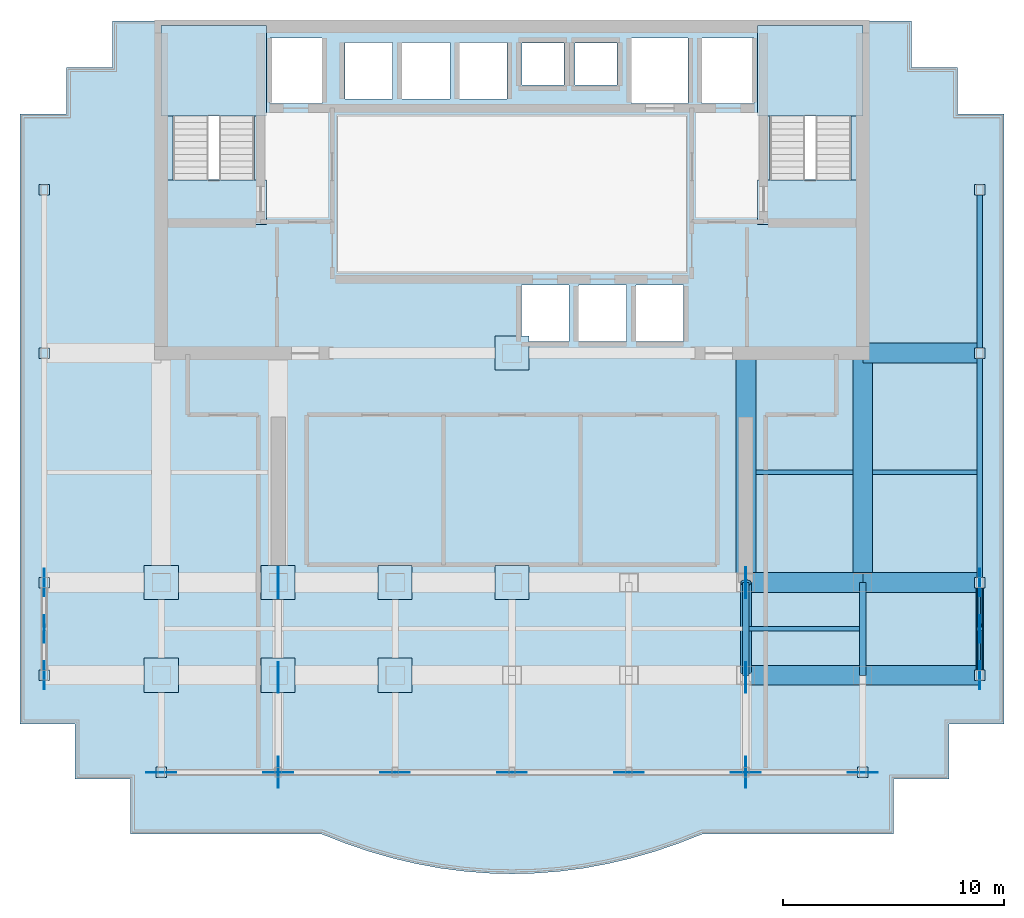
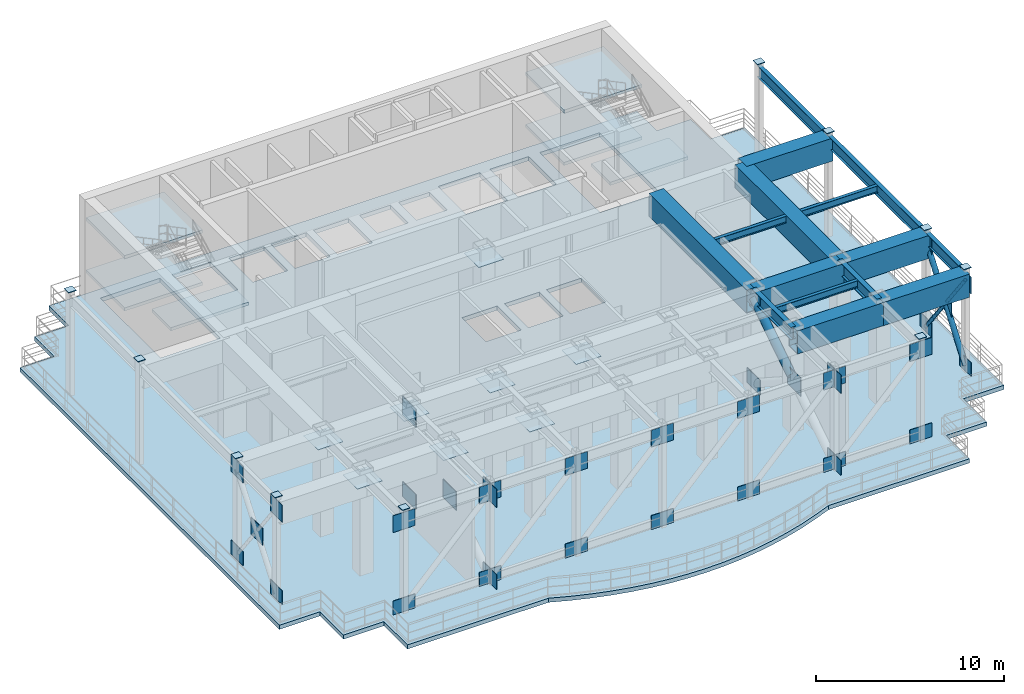
# One storey, part 2 of 7: 52 plates, 15 beams, 7 slabs, 4 members, 2 elements without a shape of their own.
"""IFC4 building model written with IfcOpenShell, lengths in metres."""

from ifc_helpers import new_model, si_unit, direction, frame, origin, origin_2d, place, context, subcontext, project, spatial, polyline, rectangle, hollow_rectangle, hollow_circle, i_section, outline, extrude, source, transform, mapped, material, layer, layer_set, material_profile, profile_set, type_object, element, aggregate, save


model = new_model("IFC4")

# Units and contexts
model_context = context("Model", 3, precision=1e-05, world=origin(), true_north=direction((0.0, 1.0)))
body_context = subcontext(model_context, "Body", "Model", "MODEL_VIEW")
ifc_project = project(units=[si_unit("LENGTHUNIT", "METRE"), si_unit("AREAUNIT", "SQUARE_METRE"), si_unit("VOLUMEUNIT", "CUBIC_METRE"), si_unit("PLANEANGLEUNIT", "RADIAN"), si_unit("MASSUNIT", "GRAM", prefix="KILO")], contexts=[model_context])

# Site, building, storey
site_placement = place(None, origin())
site = spatial("IfcSite", under=ifc_project, at=site_placement, CompositionType="ELEMENT")
building_placement = place(site_placement, origin())
building = spatial("IfcBuilding", under=site, at=building_placement, Name="Qianlan Lanfeng Residences", CompositionType="ELEMENT")
storey_placement = place(building_placement, frame((0.0, 0.0, 185.39990234375)))
storey = spatial("IfcBuildingStorey", under=building, at=storey_placement, Name="L51", CompositionType="ELEMENT", Elevation=185.39990234375)

# Member
ifc_material_1 = material(Name="Steel SN490B", Category="steel")
ifc_material_profile_1 = material_profile(ifc_material_1, hollow_circle(Radius=0.161865234375, WallThickness=0.0126953125, at=origin_2d()), Name="CHS 323.9x12.7")
ifc_profile_set_1 = profile_set([ifc_material_profile_1], Name="Steel SN490B")
member_type_1 = type_object("IfcMemberType", Name="BB-356", PredefinedType="BRACE", material=ifc_profile_set_1)
member_1_placement = place(storey_placement, frame((47.699951171875, 10.60009765625, 0.35009765625), z_axis=(0.0, 0.602743372314, 0.79793510208), x_axis=(-1.0, 0.0, 0.0)))
element("IfcMember", 1, at=member_1_placement, inside=storey, type_object=member_type_1, Name="L51 E End Portal Continuous Diagonal", PredefinedType="BRACE", context=body_context, shape_type="SweptSolid", body=[
    extrude(hollow_circle(Radius=0.161865234375, WallThickness=0.0126953125, at=origin_2d()), origin(), (0.0, 0.0, 1.0), 6.968017578125),
])

# Beams
ifc_material_profile_2 = material_profile(ifc_material_1, i_section(OverallWidth=0.300048828125, OverallDepth=0.800048828125, WebThickness=0.01611328125, FlangeThickness=0.028076171875, at=origin_2d()), Name="H 800x300x16x28")
ifc_profile_set_2 = profile_set([ifc_material_profile_2], Name="Steel SN490B")
beam_type_1 = type_object("IfcBeamType", Name="G-950", PredefinedType="BEAM", material=ifc_profile_set_2)
for number, where, z_axis, x_axis, name in (
    (2, (37.10009765625, 10.60009765625, 6.16015625), (0.0, 1.0, 0.0), (-1.0, 0.0, 0.0), "Structural beam G-950"),
    (3, (42.39990234375, 10.60009765625, 6.16015625), (0.0, 1.0, 0.0), (-1.0, 0.0, 0.0), "Structural beam G-950"),
):
    element("IfcBeam", number, at=place(storey_placement, frame(where, z_axis=z_axis, x_axis=x_axis)), inside=storey, type_object=beam_type_1, Name=name, PredefinedType="BEAM", context=body_context, shape_type="SweptSolid", body=[
        extrude(i_section(OverallWidth=0.300048828125, OverallDepth=0.800048828125, WebThickness=0.01611328125, FlangeThickness=0.028076171875, at=origin_2d()), origin(), (0.0, 0.0, 1.0), 4.199951171875),
    ])
ifc_material_profile_3 = material_profile(ifc_material_1, i_section(OverallWidth=0.199951171875, OverallDepth=0.449951171875, WebThickness=0.009033203125, FlangeThickness=0.013916015625, at=origin_2d()), Name="H 450x200x9x14")
ifc_profile_set_3 = profile_set([ifc_material_profile_3], Name="Steel SN490B")
beam_type_2 = type_object("IfcBeamType", Name="J-450", PredefinedType="JOIST", material=ifc_profile_set_3)
beam_1_placement = place(storey_placement, frame((37.25, 12.699951171875, 6.335205078125), z_axis=(1.0, 0.0, 0.0), x_axis=(0.0, 1.0, 0.0)))
element("IfcBeam", 4, at=beam_1_placement, inside=storey, type_object=beam_type_2, Name="Structural beam J-450", PredefinedType="JOIST", context=body_context, shape_type="SweptSolid", body=[
    extrude(i_section(OverallWidth=0.199951171875, OverallDepth=0.449951171875, WebThickness=0.009033203125, FlangeThickness=0.013916015625, at=origin_2d()), origin(), (0.0, 0.0, 1.0), 5.0),
])
beam_2_placement = place(storey_placement, frame((37.550048828125, 19.800048828125, 6.335205078125), z_axis=(1.0, 0.0, 0.0), x_axis=(0.0, 1.0, 0.0)))
element("IfcBeam", 5, at=beam_2_placement, inside=storey, type_object=beam_type_2, Name="Structural beam J-450", PredefinedType="JOIST", context=body_context, shape_type="SweptSolid", body=[
    extrude(i_section(OverallWidth=0.199951171875, OverallDepth=0.449951171875, WebThickness=0.009033203125, FlangeThickness=0.013916015625, at=origin_2d()), origin(), (0.0, 0.0, 1.0), 4.39990234375),
])
beam_3_placement = place(storey_placement, frame((42.85009765625, 19.800048828125, 6.335205078125), z_axis=(1.0, 0.0, 0.0), x_axis=(0.0, 1.0, 0.0)))
element("IfcBeam", 6, at=beam_3_placement, inside=storey, type_object=beam_type_2, Name="Structural beam J-450", PredefinedType="JOIST", context=body_context, shape_type="SweptSolid", body=[
    extrude(i_section(OverallWidth=0.199951171875, OverallDepth=0.449951171875, WebThickness=0.009033203125, FlangeThickness=0.013916015625, at=origin_2d()), origin(), (0.0, 0.0, 1.0), 4.724853515625),
])

# Members
ifc_material_profile_4 = material_profile(ifc_material_1, hollow_circle(Radius=0.25390625, WallThickness=0.02197265625, at=origin_2d()), Name="CHS 508x22")
ifc_profile_set_4 = profile_set([ifc_material_profile_4], Name="Steel SN490B")
member_type_2 = type_object("IfcMemberType", Name="OB-508", PredefinedType="BRACE", material=ifc_profile_set_4)
member_2_placement = place(storey_placement, frame((37.10009765625, 14.800048828125, 5.91015625), z_axis=(0.0, -0.839761131454, -0.542956022251), x_axis=(1.0, 0.0, 0.0)))
element("IfcMember", 7, at=member_2_placement, inside=storey, type_object=member_type_2, Name="L51 Outrigger Split Upper Half-Diagonal G8-D2A", PredefinedType="BRACE", context=body_context, shape_type="SweptSolid", body=[
    extrude(hollow_circle(Radius=0.25390625, WallThickness=0.02197265625, at=origin_2d()), origin(), (0.0, 0.0, 1.0), 4.800537109375),
])
ifc_material_profile_5 = material_profile(ifc_material_1, hollow_circle(Radius=0.109619140625, WallThickness=0.010009765625, at=origin_2d()), Name="CHS 219.1x10")
ifc_profile_set_5 = profile_set([ifc_material_profile_5], Name="Steel SN490B")
member_type_3 = type_object("IfcMemberType", Name="PB-273", PredefinedType="STRUT", material=ifc_profile_set_5)
member_3_placement = place(storey_placement, frame((47.699951171875, 14.800048828125, 0.35009765625), z_axis=(0.0, -0.602766012183, 0.797917999895), x_axis=(1.0, 0.0, 0.0)))
element("IfcMember", 8, at=member_3_placement, inside=storey, type_object=member_type_3, Name="L51 E Portal Split Counter-Brace Lower Half", PredefinedType="STRUT", context=body_context, shape_type="SweptSolid", body=[
    extrude(hollow_circle(Radius=0.109619140625, WallThickness=0.010009765625, at=origin_2d()), origin(), (0.0, 0.0, 1.0), 3.243896484375),
])
member_4_placement = place(storey_placement, frame((47.699951171875, 12.555419921875, 3.321533203125), z_axis=(0.0, -0.602729816328, 0.797945341806), x_axis=(1.0, 0.0, 0.0)))
element("IfcMember", 9, at=member_4_placement, inside=storey, type_object=member_type_3, Name="L51 E Portal Split Counter-Brace Upper Half", PredefinedType="STRUT", context=body_context, shape_type="SweptSolid", body=[
    extrude(hollow_circle(Radius=0.109619140625, WallThickness=0.010009765625, at=origin_2d()), origin(), (0.0, 0.0, 1.0), 3.244140625),
])

# Beams
ifc_material_profile_6 = material_profile(ifc_material_1, i_section(OverallWidth=0.25, OverallDepth=0.75, WebThickness=0.013916015625, FlangeThickness=0.02490234375, at=origin_2d()), Name="H 750x250x14x25")
ifc_profile_set_6 = profile_set([ifc_material_profile_6], Name="Steel SN490B")
beam_type_3 = type_object("IfcBeamType", Name="SG-850", PredefinedType="SPANDREL", material=ifc_profile_set_6)
beam_4_placement = place(storey_placement, frame((47.699951171875, 10.60009765625, 6.18505859375), z_axis=(0.0, 1.0, 0.0), x_axis=(-1.0, 0.0, 0.0)))
element("IfcBeam", 10, at=beam_4_placement, inside=storey, type_object=beam_type_3, Name="Structural beam SG-850", PredefinedType="SPANDREL", context=body_context, shape_type="SweptSolid", body=[
    extrude(i_section(OverallWidth=0.25, OverallDepth=0.75, WebThickness=0.013916015625, FlangeThickness=0.02490234375, at=origin_2d()), origin(), (0.0, 0.0, 1.0), 4.199951171875),
])
beam_5_placement = place(storey_placement, frame((47.699951171875, 14.800048828125, 6.18505859375), z_axis=(0.0, 1.0, 0.0), x_axis=(-1.0, 0.0, 0.0)))
element("IfcBeam", 11, at=beam_5_placement, inside=storey, type_object=beam_type_3, Name="Structural beam SG-850", PredefinedType="SPANDREL", context=body_context, shape_type="SweptSolid", body=[
    extrude(i_section(OverallWidth=0.25, OverallDepth=0.75, WebThickness=0.013916015625, FlangeThickness=0.02490234375, at=origin_2d()), origin(), (0.0, 0.0, 1.0), 10.39990234375),
])
beam_6_placement = place(storey_placement, frame((47.699951171875, 25.199951171875, 6.18505859375), z_axis=(0.0, 1.0, 0.0), x_axis=(-1.0, 0.0, 0.0)))
element("IfcBeam", 12, at=beam_6_placement, inside=storey, type_object=beam_type_3, Name="Structural beam SG-850", PredefinedType="SPANDREL", context=body_context, shape_type="SweptSolid", body=[
    extrude(i_section(OverallWidth=0.25, OverallDepth=0.75, WebThickness=0.013916015625, FlangeThickness=0.02490234375, at=origin_2d()), origin(), (0.0, 0.0, 1.0), 7.400146484375),
])
ifc_material_2 = material(Name="Steel SM570 (420 MPa)", Category="steel")
ifc_material_profile_7 = material_profile(ifc_material_2, hollow_rectangle(XDim=0.89990234375, YDim=1.5, WallThickness=0.035888671875, at=origin_2d()), Name="BOX 1500x900x36")
ifc_profile_set_7 = profile_set([ifc_material_profile_7], Name="Steel SM570 (420 MPa)")
beam_type_4 = type_object("IfcBeamType", Name="TG-1800", PredefinedType="BEAM", material=ifc_profile_set_7)
beam_7_placement = place(storey_placement, frame((37.10009765625, 10.60009765625, 5.81005859375), z_axis=(1.0, 0.0, 0.0), x_axis=(0.0, 1.0, 0.0)))
element("IfcBeam", 13, at=beam_7_placement, inside=storey, type_object=beam_type_4, Name="Structural beam TG-1800", PredefinedType="BEAM", context=body_context, shape_type="SweptSolid", body=[
    extrude(hollow_rectangle(XDim=0.89990234375, YDim=1.5, WallThickness=0.035888671875, at=origin_2d()), origin(), (0.0, 0.0, 1.0), 5.2998046875),
])
beam_8_placement = place(storey_placement, frame((42.39990234375, 10.60009765625, 5.81005859375), z_axis=(1.0, 0.0, 0.0), x_axis=(0.0, 1.0, 0.0)))
element("IfcBeam", 14, at=beam_8_placement, inside=storey, type_object=beam_type_4, Name="Structural beam TG-1800", PredefinedType="BEAM", context=body_context, shape_type="SweptSolid", body=[
    extrude(hollow_rectangle(XDim=0.89990234375, YDim=1.5, WallThickness=0.035888671875, at=origin_2d()), origin(), (0.0, 0.0, 1.0), 5.300048828125),
])
beam_9_placement = place(storey_placement, frame((37.10009765625, 14.800048828125, 5.81005859375), z_axis=(1.0, 0.0, 0.0), x_axis=(0.0, 1.0, 0.0)))
element("IfcBeam", 15, at=beam_9_placement, inside=storey, type_object=beam_type_4, Name="Structural beam TG-1800", PredefinedType="BEAM", context=body_context, shape_type="SweptSolid", body=[
    extrude(hollow_rectangle(XDim=0.89990234375, YDim=1.5, WallThickness=0.035888671875, at=origin_2d()), origin(), (0.0, 0.0, 1.0), 5.2998046875),
])
for number, where, z_axis, x_axis, name in (
    (16, (42.39990234375, 14.800048828125, 5.81005859375), (1.0, 0.0, 0.0), (0.0, 1.0, 0.0), "Structural beam TG-1800"),
    (17, (42.39990234375, 25.199951171875, 5.81005859375), (1.0, 0.0, 0.0), (0.0, 1.0, 0.0), "Structural beam TG-1800"),
):
    element("IfcBeam", number, at=place(storey_placement, frame(where, z_axis=z_axis, x_axis=x_axis)), inside=storey, type_object=beam_type_4, Name=name, PredefinedType="BEAM", context=body_context, shape_type="SweptSolid", body=[
        extrude(hollow_rectangle(XDim=0.89990234375, YDim=1.5, WallThickness=0.035888671875, at=origin_2d()), origin(), (0.0, 0.0, 1.0), 5.300048828125),
    ])
for number, where, z_axis, x_axis, name in (
    (18, (37.10009765625, 14.800048828125, 5.81005859375), (0.0, 1.0, 0.0), (-1.0, 0.0, 0.0), "Structural beam TG-1800"),
    (19, (42.39990234375, 14.800048828125, 5.81005859375), (0.0, 1.0, 0.0), (-1.0, 0.0, 0.0), "Structural beam TG-1800"),
):
    element("IfcBeam", number, at=place(storey_placement, frame(where, z_axis=z_axis, x_axis=x_axis)), inside=storey, type_object=beam_type_4, Name=name, PredefinedType="BEAM", context=body_context, shape_type="SweptSolid", body=[
        extrude(hollow_rectangle(XDim=0.89990234375, YDim=1.5, WallThickness=0.035888671875, at=origin_2d()), origin(), (0.0, 0.0, 1.0), 10.39990234375),
    ])

# Stair, slabs
ifc_material_3 = material(Name="Concrete C42", Category="concrete")
stair_type = type_object("IfcStairType", Name="STR-MAIN", PredefinedType="HALF_TURN_STAIR", material=ifc_material_3)
stair_1_placement = place(storey_placement, origin())
stair_1 = element("IfcStair", 20, at=stair_1_placement, inside=storey, type_object=stair_type, Name="L51 Exit Stair ST-1", PredefinedType="HALF_TURN_STAIR")
ifc_layer_1 = layer(ifc_material_3, 0.179931640625)
ifc_layer_set_1 = layer_set([ifc_layer_1], Name="Concrete C42")
slab_type_1 = type_object("IfcSlabType", Name="S-LND-180", PredefinedType="LANDING", material=ifc_layer_set_1)
slab_1_placement = place(storey_placement, frame((0.0, 0.0, 1.5)))
slab_1 = element("IfcSlab", 21, at=slab_1_placement, type_object=slab_type_1, Name="ST-1 landing 1", PredefinedType="LANDING", context=body_context, shape_type="SweptSolid", body=[
    extrude(outline(polyline([(10.580078125, 35.949951171875), (15.3798828125, 35.949951171875), (15.3798828125, 40.050048828125), (10.580078125, 40.050048828125), (10.580078125, 35.949951171875)])), origin(), (0.0, 0.0, 1.0), 0.2001953125),
])
slab_2_placement = place(storey_placement, frame((0.0, 0.0, 3.2001953125)))
slab_2 = element("IfcSlab", 22, at=slab_2_placement, type_object=slab_type_1, Name="ST-1 landing 2", PredefinedType="LANDING", context=body_context, shape_type="SweptSolid", body=[
    extrude(outline(polyline([(10.580078125, 31.02001953125), (15.3798828125, 31.02001953125), (15.3798828125, 33.050048828125), (10.580078125, 33.050048828125), (10.580078125, 31.02001953125)])), origin(), (0.0, 0.0, 1.0), 0.199951171875),
])
slab_3_placement = place(storey_placement, frame((0.0, 0.0, 4.900146484375)))
slab_3 = element("IfcSlab", 23, at=slab_3_placement, type_object=slab_type_1, Name="ST-1 landing 3", PredefinedType="LANDING", context=body_context, shape_type="SweptSolid", body=[
    extrude(outline(polyline([(10.580078125, 35.949951171875), (15.3798828125, 35.949951171875), (15.3798828125, 40.050048828125), (10.580078125, 40.050048828125), (10.580078125, 35.949951171875)])), origin(), (0.0, 0.0, 1.0), 0.199951171875),
])
aggregate(stair_1, [slab_1, slab_2, slab_3])

stair_2_placement = place(storey_placement, origin())
stair_2 = element("IfcStair", 24, at=stair_2_placement, inside=storey, type_object=stair_type, Name="L51 Exit Stair ST-2", PredefinedType="HALF_TURN_STAIR")
slab_4_placement = place(storey_placement, frame((0.0, 0.0, 1.5)))
slab_4 = element("IfcSlab", 25, at=slab_4_placement, type_object=slab_type_1, Name="ST-2 landing 1", PredefinedType="LANDING", context=body_context, shape_type="SweptSolid", body=[
    extrude(outline(polyline([(37.6201171875, 35.949951171875), (42.419921875, 35.949951171875), (42.419921875, 40.050048828125), (37.6201171875, 40.050048828125), (37.6201171875, 35.949951171875)])), origin(), (0.0, 0.0, 1.0), 0.2001953125),
])
slab_5_placement = place(storey_placement, frame((0.0, 0.0, 3.2001953125)))
slab_5 = element("IfcSlab", 26, at=slab_5_placement, type_object=slab_type_1, Name="ST-2 landing 2", PredefinedType="LANDING", context=body_context, shape_type="SweptSolid", body=[
    extrude(outline(polyline([(37.6201171875, 31.02001953125), (42.419921875, 31.02001953125), (42.419921875, 33.050048828125), (37.6201171875, 33.050048828125), (37.6201171875, 31.02001953125)])), origin(), (0.0, 0.0, 1.0), 0.199951171875),
])
slab_6_placement = place(storey_placement, frame((0.0, 0.0, 4.900146484375)))
slab_6 = element("IfcSlab", 27, at=slab_6_placement, type_object=slab_type_1, Name="ST-2 landing 3", PredefinedType="LANDING", context=body_context, shape_type="SweptSolid", body=[
    extrude(outline(polyline([(37.6201171875, 35.949951171875), (42.419921875, 35.949951171875), (42.419921875, 40.050048828125), (37.6201171875, 40.050048828125), (37.6201171875, 35.949951171875)])), origin(), (0.0, 0.0, 1.0), 0.199951171875),
])
aggregate(stair_2, [slab_4, slab_5, slab_6])

# Slab
ifc_material_4 = material(Name="Concrete C56", Category="concrete")
ifc_layer_2 = layer(ifc_material_4, 0.27001953125)
ifc_layer_set_2 = layer_set([ifc_layer_2], Name="Concrete C56")
slab_type_2 = type_object("IfcSlabType", Name="S-PRT-270", PredefinedType="FLOOR", material=ifc_layer_set_2)
slab_7_placement = place(storey_placement, frame((0.0, 0.0, -0.27001953125)))
element("IfcSlab", 28, at=slab_7_placement, inside=storey, type_object=slab_type_2, Name="L51 Structural Floor Slab", PredefinedType="FLOOR", context=body_context, shape_type="SweptSolid", body=[
    extrude(outline(polyline([(4.199951171875, 8.39990234375), (6.699951171875, 8.39990234375), (6.699951171875, 5.89990234375), (9.199951171875, 5.89990234375), (9.199951171875, 3.39990234375), (17.8798828125, 3.39990234375), (18.95703125, 2.97802734375), (20.034912109375, 2.612060546875), (21.112060546875, 2.302978515625), (22.18994140625, 2.050048828125), (23.26708984375, 1.85302734375), (24.344970703125, 1.712890625), (25.422119140625, 1.6279296875), (26.5, 1.60009765625), (27.577880859375, 1.6279296875), (28.655029296875, 1.7119140625), (29.73193359375, 1.85302734375), (30.81005859375, 2.050048828125), (31.886962890625, 2.302978515625), (32.965087890625, 2.612060546875), (34.0419921875, 2.97802734375), (35.1201171875, 3.39990234375), (43.800048828125, 3.39990234375), (43.800048828125, 5.89990234375), (46.300048828125, 5.89990234375), (46.300048828125, 8.39990234375), (48.800048828125, 8.39990234375), (48.800048828125, 36.050048828125), (46.699951171875, 36.050048828125), (46.699951171875, 38.14990234375), (44.60009765625, 38.14990234375), (44.60009765625, 40.25), (8.39990234375, 40.25), (8.39990234375, 38.14990234375), (6.300048828125, 38.14990234375), (6.300048828125, 36.050048828125), (4.199951171875, 36.050048828125), (4.199951171875, 8.39990234375)]), holes=[polyline([(11.139892578125, 33.080078125), (11.139892578125, 39.5), (14.820068359375, 39.5), (14.820068359375, 33.080078125), (11.139892578125, 33.080078125)]), polyline([(38.179931640625, 33.080078125), (38.179931640625, 39.5), (41.860107421875, 39.5), (41.860107421875, 33.080078125), (38.179931640625, 33.080078125)]), polyline([(15.52001953125, 36.52001953125), (15.52001953125, 39.47998046875), (17.8798828125, 39.47998046875), (17.8798828125, 36.52001953125), (15.52001953125, 36.52001953125)]), polyline([(35.1201171875, 36.52001953125), (35.1201171875, 39.47998046875), (37.47998046875, 39.47998046875), (37.47998046875, 36.52001953125), (35.1201171875, 36.52001953125)]), polyline([(31.919921875, 36.52001953125), (31.919921875, 39.47998046875), (34.47998046875, 39.47998046875), (34.47998046875, 36.52001953125), (31.919921875, 36.52001953125)]), polyline([(26.919921875, 25.719970703125), (26.919921875, 28.280029296875), (29.080078125, 28.280029296875), (29.080078125, 25.719970703125), (26.919921875, 25.719970703125)]), polyline([(29.52001953125, 25.719970703125), (29.52001953125, 28.280029296875), (31.679931640625, 28.280029296875), (31.679931640625, 25.719970703125), (29.52001953125, 25.719970703125)]), polyline([(32.1201171875, 25.719970703125), (32.1201171875, 28.280029296875), (34.280029296875, 28.280029296875), (34.280029296875, 25.719970703125), (32.1201171875, 25.719970703125)]), polyline([(18.919921875, 36.719970703125), (18.919921875, 39.280029296875), (21.080078125, 39.280029296875), (21.080078125, 36.719970703125), (18.919921875, 36.719970703125)]), polyline([(21.52001953125, 36.719970703125), (21.52001953125, 39.280029296875), (23.679931640625, 39.280029296875), (23.679931640625, 36.719970703125), (21.52001953125, 36.719970703125)]), polyline([(24.1201171875, 36.719970703125), (24.1201171875, 39.280029296875), (26.280029296875, 39.280029296875), (26.280029296875, 36.719970703125), (24.1201171875, 36.719970703125)]), polyline([(26.949951171875, 37.35009765625), (26.949951171875, 39.25), (28.85009765625, 39.25), (28.85009765625, 37.35009765625), (26.949951171875, 37.35009765625)]), polyline([(29.35009765625, 37.35009765625), (29.35009765625, 39.25), (31.25, 39.25), (31.25, 37.35009765625), (29.35009765625, 37.35009765625)])]), origin(), (0.0, 0.0, 1.0), 0.27001953125),
])

# Plates
ifc_layer_3 = layer(ifc_material_2, 0.0400390625)
ifc_layer_set_3 = layer_set([ifc_layer_3], Name="Steel SM570 (420 MPa)")
plate_type_1 = type_object("IfcPlateType", Name="PL-CAP-40", PredefinedType="USERDEFINED", material=ifc_layer_set_3)
shared_shape_1 = source(origin(), body_context, "Body", "SweptSolid", [
    extrude(rectangle(XDim=0.469970703125, YDim=0.469970703125, at=origin_2d()), origin(), (0.0, 0.0, 1.0), 0.0400390625),
])
for number, where, z_axis, x_axis, name in (
    (29, (10.60009765625, 6.199951171875, 6.760009765625), (0.0, 0.0, 1.0), (1.0, 0.0, 0.0), "L51 Box Column Top Closure Cap Plate S_10.60_6.20"),
    (30, (42.39990234375, 6.199951171875, 6.760009765625), (0.0, 0.0, 1.0), (1.0, 0.0, 0.0), "L51 Box Column Top Closure Cap Plate S_42.40_6.20"),
    (31, (5.300048828125, 10.60009765625, 6.760009765625), (0.0, 0.0, 1.0), (1.0, 0.0, 0.0), "L51 Box Column Top Closure Cap Plate W_5.30_10.60"),
    (32, (5.300048828125, 14.800048828125, 6.760009765625), (0.0, 0.0, 1.0), (1.0, 0.0, 0.0), "L51 Box Column Top Closure Cap Plate W_5.30_14.80"),
    (33, (5.300048828125, 25.199951171875, 6.760009765625), (0.0, 0.0, 1.0), (1.0, 0.0, 0.0), "L51 Box Column Top Closure Cap Plate W_5.30_25.20"),
    (34, (5.300048828125, 32.60009765625, 6.760009765625), (0.0, 0.0, 1.0), (1.0, 0.0, 0.0), "L51 Box Column Top Closure Cap Plate W_5.30_32.60"),
    (35, (47.699951171875, 10.60009765625, 6.760009765625), (0.0, 0.0, 1.0), (1.0, 0.0, 0.0), "L51 Box Column Top Closure Cap Plate W_47.70_10.60"),
    (36, (47.699951171875, 14.800048828125, 6.760009765625), (0.0, 0.0, 1.0), (1.0, 0.0, 0.0), "L51 Box Column Top Closure Cap Plate W_47.70_14.80"),
    (37, (47.699951171875, 25.199951171875, 6.760009765625), (0.0, 0.0, 1.0), (1.0, 0.0, 0.0), "L51 Box Column Top Closure Cap Plate W_47.70_25.20"),
    (38, (47.699951171875, 32.60009765625, 6.760009765625), (0.0, 0.0, 1.0), (1.0, 0.0, 0.0), "L51 Box Column Top Closure Cap Plate W_47.70_32.60"),
):
    element("IfcPlate", number, at=place(storey_placement, frame(where, z_axis=z_axis, x_axis=x_axis)), inside=storey, type_object=plate_type_1, Name=name, ObjectType="SPLICE_PLATE", PredefinedType="USERDEFINED", context=body_context, shape_type="MappedRepresentation", body=[
        mapped(shared_shape_1, transform((0.0, 0.0, 0.0), scale=1.0)),
    ])
ifc_layer_4 = layer(ifc_material_1, 0.028076171875)
ifc_layer_set_4 = layer_set([ifc_layer_4], Name="Steel SN490B")
plate_type_2 = type_object("IfcPlateType", Name="NP-STF-24", PredefinedType="USERDEFINED", material=ifc_layer_set_4)
shared_shape_2 = source(origin(), body_context, "Body", "SweptSolid", [
    extrude(rectangle(XDim=1.550048828125, YDim=1.550048828125, at=origin_2d()), origin(), (0.0, 0.0, 1.0), 0.028076171875),
])
for number, where, z_axis, x_axis, name in (
    (39, (26.5, 25.199951171875, 5.99609375), (0.0, 0.0, 1.0), (1.0, 0.0, 0.0), "L51 Transfer Node Diaphragm Stiffener 1"),
    (40, (10.60009765625, 14.800048828125, 5.99609375), (0.0, 0.0, 1.0), (1.0, 0.0, 0.0), "L51 Transfer Node Diaphragm Stiffener 2"),
    (41, (10.60009765625, 10.60009765625, 5.99609375), (0.0, 0.0, 1.0), (1.0, 0.0, 0.0), "L51 Transfer Node Diaphragm Stiffener 3"),
    (42, (15.89990234375, 14.800048828125, 5.99609375), (0.0, 0.0, 1.0), (1.0, 0.0, 0.0), "L51 Transfer Node Diaphragm Stiffener 4"),
    (43, (15.89990234375, 10.60009765625, 5.99609375), (0.0, 0.0, 1.0), (1.0, 0.0, 0.0), "L51 Transfer Node Diaphragm Stiffener 5"),
    (44, (21.199951171875, 14.800048828125, 5.99609375), (0.0, 0.0, 1.0), (1.0, 0.0, 0.0), "L51 Transfer Node Diaphragm Stiffener 6"),
    (45, (21.199951171875, 10.60009765625, 5.99609375), (0.0, 0.0, 1.0), (1.0, 0.0, 0.0), "L51 Transfer Node Diaphragm Stiffener 7"),
    (46, (26.5, 14.800048828125, 5.99609375), (0.0, 0.0, 1.0), (1.0, 0.0, 0.0), "L51 Transfer Node Diaphragm Stiffener 8"),
):
    element("IfcPlate", number, at=place(storey_placement, frame(where, z_axis=z_axis, x_axis=x_axis)), inside=storey, type_object=plate_type_2, Name=name, ObjectType="STIFFENER", PredefinedType="USERDEFINED", context=body_context, shape_type="MappedRepresentation", body=[
        mapped(shared_shape_2, transform((0.0, 0.0, 0.0), scale=1.0)),
    ])
ifc_layer_5 = layer(ifc_material_1, 0.035888671875)
ifc_layer_set_5 = layer_set([ifc_layer_5], Name="Steel SN490B")
plate_type_3 = type_object("IfcPlateType", Name="NP-GUS-36", PredefinedType="USERDEFINED", material=ifc_layer_set_5)
shared_shape_3 = source(origin(), body_context, "Body", "SweptSolid", [
    extrude(rectangle(XDim=0.035888671875, YDim=1.39990234375, at=origin_2d()), origin(), (0.0, 0.0, 1.0), 1.199951171875),
])
for number, where, z_axis, x_axis, name in (
    (47, (15.89990234375, 10.5, 2.5302734375), (0.0, 0.0, 1.0), (1.0, 0.0, 0.0), "L51 Outrigger X-Brace Central Gusset Plate G4-XC"),
    (48, (15.89990234375, 14.800048828125, -0.25), (0.0, 0.0, 1.0), (1.0, 0.0, 0.0), "L51 Outrigger End Gusset Plate G4-NB"),
    (49, (15.89990234375, 14.800048828125, 5.31005859375), (0.0, 0.0, 1.0), (1.0, 0.0, 0.0), "L51 Outrigger End Gusset Plate G4-NT"),
    (50, (15.89990234375, 6.199951171875, -0.25), (0.0, 0.0, 1.0), (1.0, 0.0, 0.0), "L51 Outrigger End Gusset Plate G4-SB"),
    (51, (15.89990234375, 6.199951171875, 5.31005859375), (0.0, 0.0, 1.0), (1.0, 0.0, 0.0), "L51 Outrigger End Gusset Plate G4-ST"),
    (52, (37.10009765625, 10.5, 2.5302734375), (0.0, 0.0, 1.0), (1.0, 0.0, 0.0), "L51 Outrigger X-Brace Central Gusset Plate G8-XC"),
    (53, (37.10009765625, 14.800048828125, -0.25), (0.0, 0.0, 1.0), (1.0, 0.0, 0.0), "L51 Outrigger End Gusset Plate G8-NB"),
    (54, (37.10009765625, 14.800048828125, 5.31005859375), (0.0, 0.0, 1.0), (1.0, 0.0, 0.0), "L51 Outrigger End Gusset Plate G8-NT"),
    (55, (37.10009765625, 6.199951171875, -0.25), (0.0, 0.0, 1.0), (1.0, 0.0, 0.0), "L51 Outrigger End Gusset Plate G8-SB"),
    (56, (37.10009765625, 6.199951171875, 5.31005859375), (0.0, 0.0, 1.0), (1.0, 0.0, 0.0), "L51 Outrigger End Gusset Plate G8-ST"),
):
    element("IfcPlate", number, at=place(storey_placement, frame(where, z_axis=z_axis, x_axis=x_axis)), inside=storey, type_object=plate_type_3, Name=name, ObjectType="GUSSET", PredefinedType="USERDEFINED", context=body_context, shape_type="MappedRepresentation", body=[
        mapped(shared_shape_3, transform((0.0, 0.0, 0.0), scale=1.0)),
    ])
ifc_layer_6 = layer(ifc_material_1, 0.028076171875)
ifc_layer_set_6 = layer_set([ifc_layer_6], Name="Steel SN490B")
plate_type_4 = type_object("IfcPlateType", Name="NP-GUS-28", PredefinedType="USERDEFINED", material=ifc_layer_set_6)
shared_shape_4 = source(origin(), body_context, "Body", "SweptSolid", [
    extrude(rectangle(XDim=1.35009765625, YDim=0.028076171875, at=origin_2d()), origin(), (0.0, 0.0, 1.0), 1.10009765625),
])
for number, where, z_axis, x_axis, name in (
    (57, (10.60009765625, 6.199951171875, -0.199951171875), (0.0, 0.0, 1.0), (1.0, 0.0, 0.0), "L51 Belt Truss End Gusset Plate B1"),
    (58, (10.60009765625, 6.199951171875, 5.360107421875), (0.0, 0.0, 1.0), (1.0, 0.0, 0.0), "L51 Belt Truss End Gusset Plate T1"),
    (59, (15.89990234375, 6.199951171875, -0.199951171875), (0.0, 0.0, 1.0), (1.0, 0.0, 0.0), "L51 Belt Truss End Gusset Plate B2"),
    (60, (15.89990234375, 6.199951171875, 5.360107421875), (0.0, 0.0, 1.0), (1.0, 0.0, 0.0), "L51 Belt Truss End Gusset Plate T2"),
    (61, (21.199951171875, 6.199951171875, -0.199951171875), (0.0, 0.0, 1.0), (1.0, 0.0, 0.0), "L51 Belt Truss End Gusset Plate B3"),
    (62, (21.199951171875, 6.199951171875, 5.360107421875), (0.0, 0.0, 1.0), (1.0, 0.0, 0.0), "L51 Belt Truss End Gusset Plate T3"),
    (63, (26.5, 6.199951171875, -0.199951171875), (0.0, 0.0, 1.0), (1.0, 0.0, 0.0), "L51 Belt Truss End Gusset Plate B4"),
    (64, (26.5, 6.199951171875, 5.360107421875), (0.0, 0.0, 1.0), (1.0, 0.0, 0.0), "L51 Belt Truss End Gusset Plate T4"),
    (65, (31.800048828125, 6.199951171875, -0.199951171875), (0.0, 0.0, 1.0), (1.0, 0.0, 0.0), "L51 Belt Truss End Gusset Plate B5"),
    (66, (31.800048828125, 6.199951171875, 5.360107421875), (0.0, 0.0, 1.0), (1.0, 0.0, 0.0), "L51 Belt Truss End Gusset Plate T5"),
    (67, (37.10009765625, 6.199951171875, -0.199951171875), (0.0, 0.0, 1.0), (1.0, 0.0, 0.0), "L51 Belt Truss End Gusset Plate B6"),
    (68, (37.10009765625, 6.199951171875, 5.360107421875), (0.0, 0.0, 1.0), (1.0, 0.0, 0.0), "L51 Belt Truss End Gusset Plate T6"),
    (69, (42.39990234375, 6.199951171875, -0.199951171875), (0.0, 0.0, 1.0), (1.0, 0.0, 0.0), "L51 Belt Truss End Gusset Plate B7"),
    (70, (42.39990234375, 6.199951171875, 5.360107421875), (0.0, 0.0, 1.0), (1.0, 0.0, 0.0), "L51 Belt Truss End Gusset Plate T7"),
):
    element("IfcPlate", number, at=place(storey_placement, frame(where, z_axis=z_axis, x_axis=x_axis)), inside=storey, type_object=plate_type_4, Name=name, ObjectType="GUSSET", PredefinedType="USERDEFINED", context=body_context, shape_type="MappedRepresentation", body=[
        mapped(shared_shape_4, transform((0.0, 0.0, 0.0), scale=1.0)),
    ])
ifc_layer_7 = layer(ifc_material_1, 0.028076171875)
ifc_layer_set_7 = layer_set([ifc_layer_7], Name="Steel SN490B")
plate_type_5 = type_object("IfcPlateType", Name="NP-GUS-24", PredefinedType="USERDEFINED", material=ifc_layer_set_7)
shared_shape_5 = source(origin(), body_context, "Body", "SweptSolid", [
    extrude(rectangle(XDim=0.028076171875, YDim=1.25, at=origin_2d()), origin(), (0.0, 0.0, 1.0), 1.10009765625),
])
for number, where, z_axis, x_axis, name in (
    (71, (5.300048828125, 12.699951171875, 2.580078125), (0.0, 0.0, 1.0), (1.0, 0.0, 0.0), "L51 W Portal X-Brace Central Gusset Plate"),
    (72, (5.300048828125, 10.60009765625, -0.199951171875), (0.0, 0.0, 1.0), (1.0, 0.0, 0.0), "L51 W Portal End Gusset Plate SB"),
    (73, (5.300048828125, 10.60009765625, 5.360107421875), (0.0, 0.0, 1.0), (1.0, 0.0, 0.0), "L51 W Portal End Gusset Plate ST"),
    (74, (5.300048828125, 14.800048828125, -0.199951171875), (0.0, 0.0, 1.0), (1.0, 0.0, 0.0), "L51 W Portal End Gusset Plate NB"),
    (75, (5.300048828125, 14.800048828125, 5.360107421875), (0.0, 0.0, 1.0), (1.0, 0.0, 0.0), "L51 W Portal End Gusset Plate NT"),
    (76, (47.699951171875, 12.699951171875, 2.580078125), (0.0, 0.0, 1.0), (1.0, 0.0, 0.0), "L51 E Portal X-Brace Central Gusset Plate"),
    (77, (47.699951171875, 10.60009765625, -0.199951171875), (0.0, 0.0, 1.0), (1.0, 0.0, 0.0), "L51 E Portal End Gusset Plate SB"),
    (78, (47.699951171875, 10.60009765625, 5.360107421875), (0.0, 0.0, 1.0), (1.0, 0.0, 0.0), "L51 E Portal End Gusset Plate ST"),
    (79, (47.699951171875, 14.800048828125, -0.199951171875), (0.0, 0.0, 1.0), (1.0, 0.0, 0.0), "L51 E Portal End Gusset Plate NB"),
    (80, (47.699951171875, 14.800048828125, 5.360107421875), (0.0, 0.0, 1.0), (1.0, 0.0, 0.0), "L51 E Portal End Gusset Plate NT"),
):
    element("IfcPlate", number, at=place(storey_placement, frame(where, z_axis=z_axis, x_axis=x_axis)), inside=storey, type_object=plate_type_5, Name=name, ObjectType="GUSSET", PredefinedType="USERDEFINED", context=body_context, shape_type="MappedRepresentation", body=[
        mapped(shared_shape_5, transform((0.0, 0.0, 0.0), scale=1.0)),
    ])

save(model, "model.ifc")
